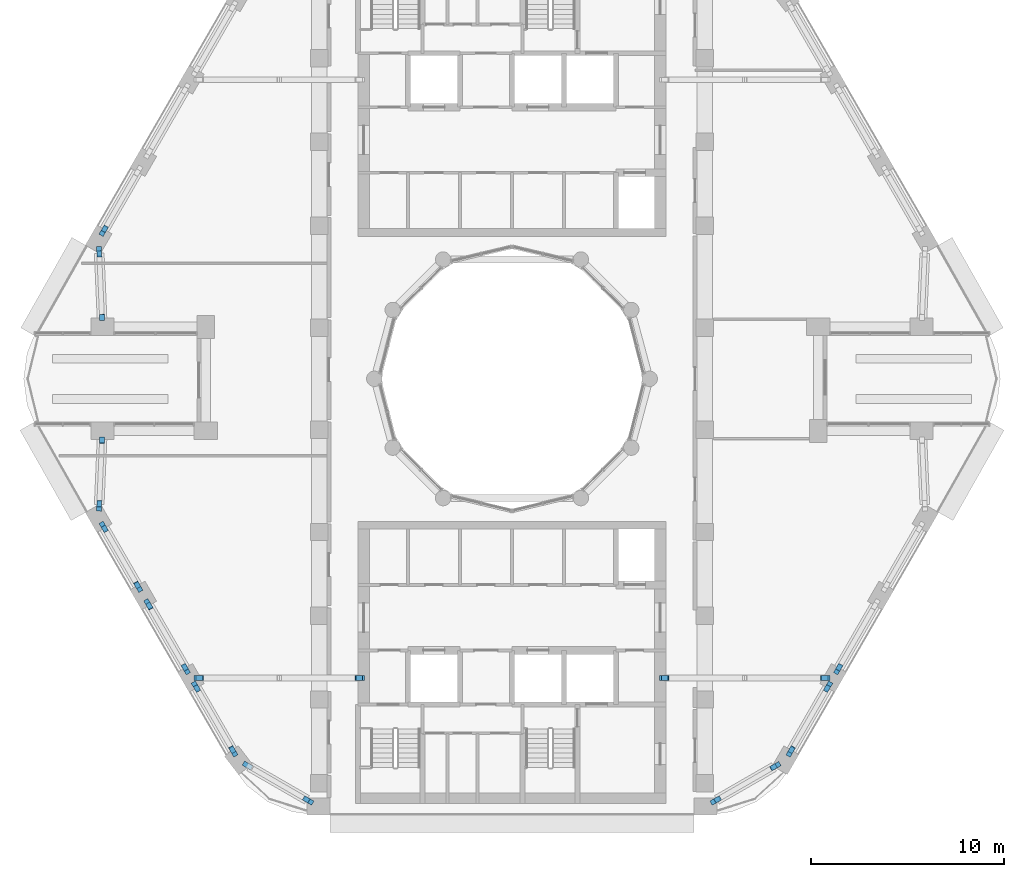
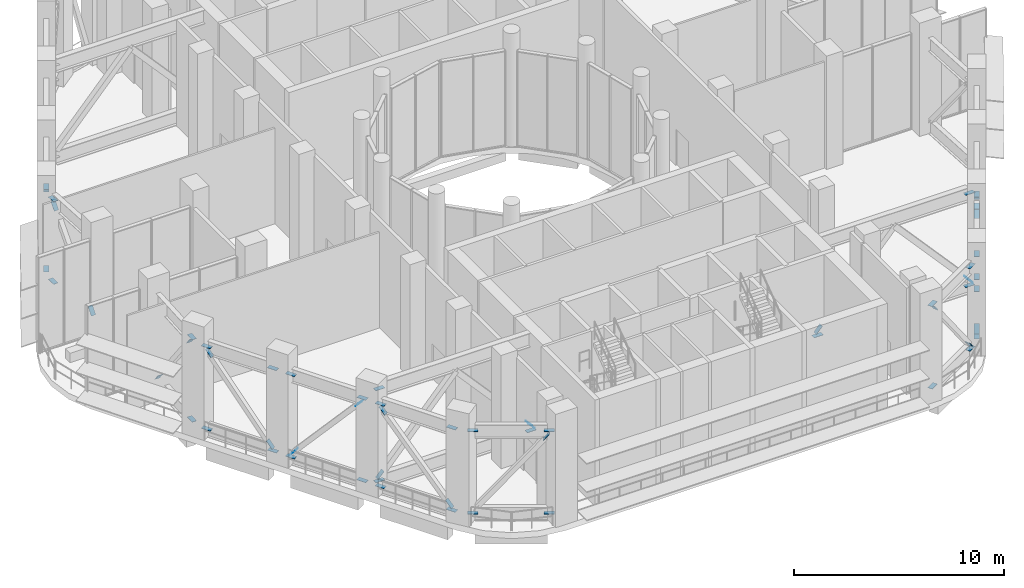
# One storey, part 12 of 19: 59 discrete accessories.
"""IFC4 building model written with IfcOpenShell, lengths in metres."""

from ifc_helpers import new_model, si_unit, direction, frame, origin, origin_2d, place, context, subcontext, project, spatial, rectangle, extrude, material, material_profile, profile_set, type_object, element, save


model = new_model("IFC4")

# Units and contexts
model_context = context("Model", 3, precision=1e-05, world=origin(), true_north=direction((0.0, 1.0)))
body_context = subcontext(model_context, "Body", "Model", "MODEL_VIEW")
ifc_project = project(units=[si_unit("LENGTHUNIT", "METRE"), si_unit("AREAUNIT", "SQUARE_METRE"), si_unit("VOLUMEUNIT", "CUBIC_METRE"), si_unit("PLANEANGLEUNIT", "RADIAN"), si_unit("MASSUNIT", "GRAM", prefix="KILO")], contexts=[model_context])

# Site, building, storey
site_placement = place(None, origin())
site = spatial("IfcSite", under=ifc_project, at=site_placement, CompositionType="ELEMENT")
building_placement = place(site_placement, origin())
building = spatial("IfcBuilding", under=site, at=building_placement, Name="Nakaniwa Court", CompositionType="ELEMENT")
storey_placement = place(building_placement, frame((0.0, 0.0, 219.60009765625)))
storey = spatial("IfcBuildingStorey", under=building, at=storey_placement, Name="S4", CompositionType="ELEMENT", Elevation=219.60009765625)

# Discrete accessories
ifc_material = material(Name="Steel Grade 350", Category="steel")
ifc_material_profile = material_profile(ifc_material, rectangle(XDim=0.25, YDim=0.02001953125, at=origin_2d()), Name="Truss end gusset plate 250x20")
ifc_profile_set = profile_set([ifc_material_profile], Name="Steel Grade 350")
discrete_accessory_type = type_object("IfcDiscreteAccessoryType", Name="Truss end gusset plate 250x20", PredefinedType="BRACKET", material=ifc_profile_set)
for number, where, z_axis, x_axis, name in (
    (1, (58.916015625, 87.881591796875, 0.39599609375), (-0.500131122175, -0.865949687125, 0.0), (0.865949687125, -0.500131122175, 0.0), "Gusset plate GU-476"),
    (2, (58.916015625, 87.881591796875, 5.19384765625), (-0.500131122175, -0.865949687125, 0.0), (0.865949687125, -0.500131122175, 0.0), "Gusset plate GU-478"),
):
    element("IfcDiscreteAccessory", number, at=place(storey_placement, frame(where, z_axis=z_axis, x_axis=x_axis)), inside=storey, type_object=discrete_accessory_type, Name=name, PredefinedType="BRACKET", context=body_context, shape_type="SweptSolid", body=[
        extrude(rectangle(XDim=0.25, YDim=0.02001953125, at=origin_2d()), origin(), (0.0, 0.0, 1.0), 0.499755859375),
    ])
for number, where, z_axis, x_axis, name in (
    (3, (58.938232421875, 87.920166015625, 4.681396484375), (-0.314439930852, -0.544899010607, 0.777311133411), (0.866133898465, -0.499812034598, 0.0), "Gusset plate GU-480"),
    (4, (58.578125, 86.371826171875, 0.39599609375), (-0.04297102447, 0.999076318935, 0.0), (-0.999076318935, -0.04297102447, 0.0), "Gusset plate GU-481"),
    (5, (58.578125, 86.371826171875, 5.19384765625), (-0.04297102447, 0.999076318935, 0.0), (-0.999076318935, -0.04297102447, 0.0), "Gusset plate GU-482"),
    (6, (58.579833984375, 86.32861328125, 4.680419921875), (-0.026366942333, 0.620599698239, 0.783684119335), (-0.999098680107, -0.042447937628, 0.0), "Gusset plate GU-483"),
    (7, (58.70849609375, 83.343017578125, 0.909423828125), (0.026366942333, -0.620599698239, -0.783684119335), (0.999098680107, 0.042447937628, 0.0), "Gusset plate GU-484"),
    (8, (58.578125, 73.628173828125, 0.39599609375), (-0.04297102447, -0.999076318935, 0.0), (0.999076318935, -0.04297102447, 0.0), "Gusset plate GU-485"),
    (9, (58.578125, 73.628173828125, 5.19384765625), (-0.04297102447, -0.999076318935, 0.0), (0.999076318935, -0.04297102447, 0.0), "Gusset plate GU-486"),
    (10, (58.70849609375, 76.656982421875, 0.909423828125), (0.026366942333, 0.620599698239, -0.783684119335), (-0.999098680107, 0.042447937628, 0.0), "Gusset plate GU-487"),
    (11, (58.579833984375, 73.67138671875, 4.680419921875), (-0.026366942333, -0.620599698239, 0.783684119335), (0.999098680107, -0.042447937628, 0.0), "Gusset plate GU-488"),
):
    element("IfcDiscreteAccessory", number, at=place(storey_placement, frame(where, z_axis=z_axis, x_axis=x_axis)), inside=storey, type_object=discrete_accessory_type, Name=name, PredefinedType="BRACKET", context=body_context, shape_type="SweptSolid", body=[
        extrude(rectangle(XDim=0.25, YDim=0.02001953125, at=origin_2d()), origin(), (0.0, 0.0, 1.0), 0.5),
    ])
discrete_accessory_1_placement = place(storey_placement, frame((58.916015625, 72.118408203125, 0.39599609375), z_axis=(-0.500131122175, 0.865949687125, 0.0), x_axis=(-0.865949687125, -0.500131122175, 0.0)))
element("IfcDiscreteAccessory", 12, at=discrete_accessory_1_placement, inside=storey, type_object=discrete_accessory_type, Name="Gusset plate GU-489", PredefinedType="BRACKET", context=body_context, shape_type="SweptSolid", body=[
    extrude(rectangle(XDim=0.25, YDim=0.02001953125, at=origin_2d()), origin(), (0.0, 0.0, 1.0), 0.499755859375),
])
discrete_accessory_2_placement = place(storey_placement, frame((60.485595703125, 69.39990234375, 0.39599609375), z_axis=(0.499919672301, -0.866071776036, 0.0), x_axis=(0.866071776036, 0.499919672301, 0.0)))
element("IfcDiscreteAccessory", 13, at=discrete_accessory_2_placement, inside=storey, type_object=discrete_accessory_type, Name="Gusset plate GU-490", PredefinedType="BRACKET", context=body_context, shape_type="SweptSolid", body=[
    extrude(rectangle(XDim=0.25, YDim=0.02001953125, at=origin_2d()), origin(), (0.0, 0.0, 1.0), 0.5),
])
discrete_accessory_3_placement = place(storey_placement, frame((58.916015625, 72.118408203125, 5.19384765625), z_axis=(-0.500131122175, 0.865949687125, 0.0), x_axis=(-0.865949687125, -0.500131122175, 0.0)))
element("IfcDiscreteAccessory", 14, at=discrete_accessory_3_placement, inside=storey, type_object=discrete_accessory_type, Name="Gusset plate GU-491", PredefinedType="BRACKET", context=body_context, shape_type="SweptSolid", body=[
    extrude(rectangle(XDim=0.25, YDim=0.02001953125, at=origin_2d()), origin(), (0.0, 0.0, 1.0), 0.499755859375),
])
for number, where, z_axis, x_axis, name in (
    (15, (60.485595703125, 69.39990234375, 5.19384765625), (0.499919672301, -0.866071776036, 0.0), (0.866071776036, 0.499919672301, 0.0), "Gusset plate GU-492"),
    (16, (58.938232421875, 72.079833984375, 4.681396484375), (-0.314439930852, 0.544899010607, 0.777311133411), (-0.866133898465, -0.499812034598, 0.0), "Gusset plate GU-493"),
    (17, (60.46337890625, 69.438232421875, 0.908447265625), (0.314523584368, -0.544555584737, -0.777517929059), (0.865939822254, 0.500148202271, 0.0), "Gusset plate GU-494"),
):
    element("IfcDiscreteAccessory", number, at=place(storey_placement, frame(where, z_axis=z_axis, x_axis=x_axis)), inside=storey, type_object=discrete_accessory_type, Name=name, PredefinedType="BRACKET", context=body_context, shape_type="SweptSolid", body=[
        extrude(rectangle(XDim=0.25, YDim=0.02001953125, at=origin_2d()), origin(), (0.0, 0.0, 1.0), 0.5),
    ])
discrete_accessory_4_placement = place(storey_placement, frame((61.235595703125, 68.100830078125, 0.39599609375), z_axis=(-0.500131122175, 0.865949687125, 0.0), x_axis=(-0.865949687125, -0.500131122175, 0.0)))
element("IfcDiscreteAccessory", 18, at=discrete_accessory_4_placement, inside=storey, type_object=discrete_accessory_type, Name="Gusset plate GU-495", PredefinedType="BRACKET", context=body_context, shape_type="SweptSolid", body=[
    extrude(rectangle(XDim=0.25, YDim=0.02001953125, at=origin_2d()), origin(), (0.0, 0.0, 1.0), 0.499755859375),
])
discrete_accessory_5_placement = place(storey_placement, frame((62.953857421875, 65.125, 0.39599609375), z_axis=(0.499919672301, -0.866071776036, 0.0), x_axis=(0.866071776036, 0.499919672301, 0.0)))
element("IfcDiscreteAccessory", 19, at=discrete_accessory_5_placement, inside=storey, type_object=discrete_accessory_type, Name="Gusset plate GU-496", PredefinedType="BRACKET", context=body_context, shape_type="SweptSolid", body=[
    extrude(rectangle(XDim=0.25, YDim=0.02001953125, at=origin_2d()), origin(), (0.0, 0.0, 1.0), 0.5),
])
discrete_accessory_6_placement = place(storey_placement, frame((61.235595703125, 68.100830078125, 5.19384765625), z_axis=(-0.500131122175, 0.865949687125, 0.0), x_axis=(-0.865949687125, -0.500131122175, 0.0)))
element("IfcDiscreteAccessory", 20, at=discrete_accessory_6_placement, inside=storey, type_object=discrete_accessory_type, Name="Gusset plate GU-497", PredefinedType="BRACKET", context=body_context, shape_type="SweptSolid", body=[
    extrude(rectangle(XDim=0.25, YDim=0.02001953125, at=origin_2d()), origin(), (0.0, 0.0, 1.0), 0.499755859375),
])
for number, where, z_axis, x_axis, name in (
    (21, (62.953857421875, 65.125, 5.19384765625), (0.499919672301, -0.866071776036, 0.0), (0.866071776036, 0.499919672301, 0.0), "Gusset plate GU-498"),
    (22, (61.26025390625, 68.05810546875, 0.904296875), (-0.330624506873, 0.573342941017, -0.749643453544), (-0.866283845548, -0.499552098327, 0.0), "Gusset plate GU-499"),
    (23, (62.92919921875, 65.16748046875, 4.685302734375), (0.330595965154, -0.572805121308, 0.75006706422), (0.866099526492, 0.499871593722, 0.0), "Gusset plate GU-500"),
):
    element("IfcDiscreteAccessory", number, at=place(storey_placement, frame(where, z_axis=z_axis, x_axis=x_axis)), inside=storey, type_object=discrete_accessory_type, Name=name, PredefinedType="BRACKET", context=body_context, shape_type="SweptSolid", body=[
        extrude(rectangle(XDim=0.25, YDim=0.02001953125, at=origin_2d()), origin(), (0.0, 0.0, 1.0), 0.5),
    ])
discrete_accessory_7_placement = place(storey_placement, frame((63.703857421875, 63.825927734375, 0.39599609375), z_axis=(-0.500131122175, 0.865949687125, 0.0), x_axis=(-0.865949687125, -0.500131122175, 0.0)))
element("IfcDiscreteAccessory", 24, at=discrete_accessory_7_placement, inside=storey, type_object=discrete_accessory_type, Name="Gusset plate GU-501", PredefinedType="BRACKET", context=body_context, shape_type="SweptSolid", body=[
    extrude(rectangle(XDim=0.25, YDim=0.02001953125, at=origin_2d()), origin(), (0.0, 0.0, 1.0), 0.499755859375),
])
discrete_accessory_8_placement = place(storey_placement, frame((65.419189453125, 60.8544921875, 0.39599609375), z_axis=(0.499919672301, -0.866071776036, 0.0), x_axis=(0.866071776036, 0.499919672301, 0.0)))
element("IfcDiscreteAccessory", 25, at=discrete_accessory_8_placement, inside=storey, type_object=discrete_accessory_type, Name="Gusset plate GU-502", PredefinedType="BRACKET", context=body_context, shape_type="SweptSolid", body=[
    extrude(rectangle(XDim=0.25, YDim=0.02001953125, at=origin_2d()), origin(), (0.0, 0.0, 1.0), 0.5),
])
discrete_accessory_9_placement = place(storey_placement, frame((63.703857421875, 63.825927734375, 5.19384765625), z_axis=(-0.500131122175, 0.865949687125, 0.0), x_axis=(-0.865949687125, -0.500131122175, 0.0)))
element("IfcDiscreteAccessory", 26, at=discrete_accessory_9_placement, inside=storey, type_object=discrete_accessory_type, Name="Gusset plate GU-503", PredefinedType="BRACKET", context=body_context, shape_type="SweptSolid", body=[
    extrude(rectangle(XDim=0.25, YDim=0.02001953125, at=origin_2d()), origin(), (0.0, 0.0, 1.0), 0.499755859375),
])
discrete_accessory_10_placement = place(storey_placement, frame((65.419189453125, 60.8544921875, 5.19384765625), z_axis=(0.499919672301, -0.866071776036, 0.0), x_axis=(0.866071776036, 0.499919672301, 0.0)))
element("IfcDiscreteAccessory", 27, at=discrete_accessory_10_placement, inside=storey, type_object=discrete_accessory_type, Name="Gusset plate GU-504", PredefinedType="BRACKET", context=body_context, shape_type="SweptSolid", body=[
    extrude(rectangle(XDim=0.25, YDim=0.02001953125, at=origin_2d()), origin(), (0.0, 0.0, 1.0), 0.5),
])
discrete_accessory_11_placement = place(storey_placement, frame((63.728515625, 63.783203125, 4.685302734375), z_axis=(-0.330909631381, 0.572502946326, 0.75015944459), x_axis=(-0.865779801825, -0.500425153996, 0.0)))
element("IfcDiscreteAccessory", 28, at=discrete_accessory_11_placement, inside=storey, type_object=discrete_accessory_type, Name="Gusset plate GU-505", PredefinedType="BRACKET", context=body_context, shape_type="SweptSolid", body=[
    extrude(rectangle(XDim=0.25, YDim=0.02001953125, at=origin_2d()), origin(), (0.0, 0.0, 1.0), 0.500244140625),
])
for number, where, z_axis, x_axis, name in (
    (29, (65.394775390625, 60.897216796875, 0.904296875), (0.330595965154, -0.572805121308, -0.75006706422), (0.866099526492, 0.499871593722, 0.0), "Gusset plate GU-506"),
    (30, (66.4892578125, 59.80078125, 0.39599609375), (-0.866071776036, 0.499919672301, 0.0), (-0.499919672301, -0.866071776036, 0.0), "Gusset plate GU-507"),
):
    element("IfcDiscreteAccessory", number, at=place(storey_placement, frame(where, z_axis=z_axis, x_axis=x_axis)), inside=storey, type_object=discrete_accessory_type, Name=name, PredefinedType="BRACKET", context=body_context, shape_type="SweptSolid", body=[
        extrude(rectangle(XDim=0.25, YDim=0.02001953125, at=origin_2d()), origin(), (0.0, 0.0, 1.0), 0.5),
    ])
discrete_accessory_12_placement = place(storey_placement, frame((69.224853515625, 58.221435546875, 0.39599609375), z_axis=(0.865949687125, -0.500131122175, 0.0), x_axis=(0.500131122175, 0.865949687125, 0.0)))
element("IfcDiscreteAccessory", 31, at=discrete_accessory_12_placement, inside=storey, type_object=discrete_accessory_type, Name="Gusset plate GU-508", PredefinedType="BRACKET", context=body_context, shape_type="SweptSolid", body=[
    extrude(rectangle(XDim=0.25, YDim=0.02001953125, at=origin_2d()), origin(), (0.0, 0.0, 1.0), 0.499755859375),
])
discrete_accessory_13_placement = place(storey_placement, frame((66.4892578125, 59.80078125, 5.19384765625), z_axis=(-0.866071776036, 0.499919672301, 0.0), x_axis=(-0.499919672301, -0.866071776036, 0.0)))
element("IfcDiscreteAccessory", 32, at=discrete_accessory_13_placement, inside=storey, type_object=discrete_accessory_type, Name="Gusset plate GU-509", PredefinedType="BRACKET", context=body_context, shape_type="SweptSolid", body=[
    extrude(rectangle(XDim=0.25, YDim=0.02001953125, at=origin_2d()), origin(), (0.0, 0.0, 1.0), 0.5),
])
discrete_accessory_14_placement = place(storey_placement, frame((69.224853515625, 58.221435546875, 5.19384765625), z_axis=(0.865949687125, -0.500131122175, 0.0), x_axis=(0.500131122175, 0.865949687125, 0.0)))
element("IfcDiscreteAccessory", 33, at=discrete_accessory_14_placement, inside=storey, type_object=discrete_accessory_type, Name="Gusset plate GU-510", PredefinedType="BRACKET", context=body_context, shape_type="SweptSolid", body=[
    extrude(rectangle(XDim=0.25, YDim=0.02001953125, at=origin_2d()), origin(), (0.0, 0.0, 1.0), 0.499755859375),
])
discrete_accessory_15_placement = place(storey_placement, frame((69.18603515625, 58.24365234375, 4.681396484375), z_axis=(0.546722969131, -0.315341998266, 0.775663212454), x_axis=(0.499633176362, 0.866237085952, 0.0)))
element("IfcDiscreteAccessory", 34, at=discrete_accessory_15_placement, inside=storey, type_object=discrete_accessory_type, Name="Gusset plate GU-512", PredefinedType="BRACKET", context=body_context, shape_type="SweptSolid", body=[
    extrude(rectangle(XDim=0.25, YDim=0.02001953125, at=origin_2d()), origin(), (0.0, 0.0, 1.0), 0.500244140625),
])
discrete_accessory_16_placement = place(storey_placement, frame((90.769287109375, 58.220703125, 0.39599609375), z_axis=(-0.866494423116, -0.499186753339, 0.0), x_axis=(0.499186753339, -0.866494423116, 0.0)))
element("IfcDiscreteAccessory", 35, at=discrete_accessory_16_placement, inside=storey, type_object=discrete_accessory_type, Name="Gusset plate GU-513", PredefinedType="BRACKET", context=body_context, shape_type="SweptSolid", body=[
    extrude(rectangle(XDim=0.25, YDim=0.02001953125, at=origin_2d()), origin(), (0.0, 0.0, 1.0), 0.499755859375),
])
discrete_accessory_17_placement = place(storey_placement, frame((93.472900390625, 59.779296875, 0.39599609375), z_axis=(0.866283125536, 0.499553346913, 0.0), x_axis=(-0.499553346913, 0.866283125536, 0.0)))
element("IfcDiscreteAccessory", 36, at=discrete_accessory_17_placement, inside=storey, type_object=discrete_accessory_type, Name="Gusset plate GU-514", PredefinedType="BRACKET", context=body_context, shape_type="SweptSolid", body=[
    extrude(rectangle(XDim=0.25, YDim=0.02001953125, at=origin_2d()), origin(), (0.0, 0.0, 1.0), 0.5),
])
discrete_accessory_18_placement = place(storey_placement, frame((90.769287109375, 58.220703125, 5.19384765625), z_axis=(-0.866494423116, -0.499186753339, 0.0), x_axis=(0.499186753339, -0.866494423116, 0.0)))
element("IfcDiscreteAccessory", 37, at=discrete_accessory_18_placement, inside=storey, type_object=discrete_accessory_type, Name="Gusset plate GU-515", PredefinedType="BRACKET", context=body_context, shape_type="SweptSolid", body=[
    extrude(rectangle(XDim=0.25, YDim=0.02001953125, at=origin_2d()), origin(), (0.0, 0.0, 1.0), 0.499755859375),
])
discrete_accessory_19_placement = place(storey_placement, frame((93.472900390625, 59.779296875, 5.19384765625), z_axis=(0.866283125536, 0.499553346913, 0.0), x_axis=(-0.499553346913, 0.866283125536, 0.0)))
element("IfcDiscreteAccessory", 38, at=discrete_accessory_19_placement, inside=storey, type_object=discrete_accessory_type, Name="Gusset plate GU-516", PredefinedType="BRACKET", context=body_context, shape_type="SweptSolid", body=[
    extrude(rectangle(XDim=0.25, YDim=0.02001953125, at=origin_2d()), origin(), (0.0, 0.0, 1.0), 0.5),
])
discrete_accessory_20_placement = place(storey_placement, frame((90.8076171875, 58.242919921875, 4.680908203125), z_axis=(-0.542740408098, -0.312856656107, 0.779457222782), x_axis=(0.499407664678, -0.866367118755, 0.0)))
element("IfcDiscreteAccessory", 39, at=discrete_accessory_20_placement, inside=storey, type_object=discrete_accessory_type, Name="Gusset plate GU-517", PredefinedType="BRACKET", context=body_context, shape_type="SweptSolid", body=[
    extrude(rectangle(XDim=0.25, YDim=0.02001953125, at=origin_2d()), origin(), (0.0, 0.0, 1.0), 0.500244140625),
])
for number, where, z_axis, x_axis, name in (
    (40, (93.4345703125, 59.757568359375, 0.90869140625), (0.543029862527, 0.312535172678, -0.779384586865), (-0.498822531768, 0.866704148946, 0.0), "Gusset plate GU-518"),
    (41, (94.578125, 60.85009765625, 0.39599609375), (-0.499919672301, -0.866071776036, 0.0), (0.866071776036, -0.499919672301, 0.0), "Gusset plate GU-519"),
):
    element("IfcDiscreteAccessory", number, at=place(storey_placement, frame(where, z_axis=z_axis, x_axis=x_axis)), inside=storey, type_object=discrete_accessory_type, Name=name, PredefinedType="BRACKET", context=body_context, shape_type="SweptSolid", body=[
        extrude(rectangle(XDim=0.25, YDim=0.02001953125, at=origin_2d()), origin(), (0.0, 0.0, 1.0), 0.5),
    ])
discrete_accessory_21_placement = place(storey_placement, frame((96.296142578125, 63.825927734375, 0.39599609375), z_axis=(0.500131122175, 0.865949687125, 0.0), x_axis=(-0.865949687125, 0.500131122175, 0.0)))
element("IfcDiscreteAccessory", 42, at=discrete_accessory_21_placement, inside=storey, type_object=discrete_accessory_type, Name="Gusset plate GU-520", PredefinedType="BRACKET", context=body_context, shape_type="SweptSolid", body=[
    extrude(rectangle(XDim=0.25, YDim=0.02001953125, at=origin_2d()), origin(), (0.0, 0.0, 1.0), 0.499755859375),
])
discrete_accessory_22_placement = place(storey_placement, frame((94.578125, 60.85009765625, 5.19384765625), z_axis=(-0.499919672301, -0.866071776036, 0.0), x_axis=(0.866071776036, -0.499919672301, 0.0)))
element("IfcDiscreteAccessory", 43, at=discrete_accessory_22_placement, inside=storey, type_object=discrete_accessory_type, Name="Gusset plate GU-521", PredefinedType="BRACKET", context=body_context, shape_type="SweptSolid", body=[
    extrude(rectangle(XDim=0.25, YDim=0.02001953125, at=origin_2d()), origin(), (0.0, 0.0, 1.0), 0.5),
])
for number, where, z_axis, x_axis, name in (
    (44, (96.296142578125, 63.825927734375, 5.19384765625), (0.500131122175, 0.865949687125, 0.0), (-0.865949687125, 0.500131122175, 0.0), "Gusset plate GU-522"),
    (45, (94.602783203125, 60.892578125, 0.904296875), (-0.331152050617, -0.572922353059, -0.749732149996), (0.865779801825, -0.500425153996, 0.0), "Gusset plate GU-523"),
):
    element("IfcDiscreteAccessory", number, at=place(storey_placement, frame(where, z_axis=z_axis, x_axis=x_axis)), inside=storey, type_object=discrete_accessory_type, Name=name, PredefinedType="BRACKET", context=body_context, shape_type="SweptSolid", body=[
        extrude(rectangle(XDim=0.25, YDim=0.02001953125, at=origin_2d()), origin(), (0.0, 0.0, 1.0), 0.499755859375),
    ])
discrete_accessory_23_placement = place(storey_placement, frame((96.271484375, 63.783203125, 4.685302734375), z_axis=(0.330938248887, 0.573040566657, 0.749736209869), x_axis=(-0.865964461276, 0.500105540669, 0.0)))
element("IfcDiscreteAccessory", 46, at=discrete_accessory_23_placement, inside=storey, type_object=discrete_accessory_type, Name="Gusset plate GU-524", PredefinedType="BRACKET", context=body_context, shape_type="SweptSolid", body=[
    extrude(rectangle(XDim=0.25, YDim=0.02001953125, at=origin_2d()), origin(), (0.0, 0.0, 1.0), 0.500244140625),
])
for number, where, z_axis, x_axis, name in (
    (47, (97.046142578125, 65.125, 0.39599609375), (-0.499919672301, -0.866071776036, 0.0), (0.866071776036, -0.499919672301, 0.0), "Gusset plate GU-525"),
    (48, (97.046142578125, 65.125, 5.19384765625), (-0.499919672301, -0.866071776036, 0.0), (0.866071776036, -0.499919672301, 0.0), "Gusset plate GU-527"),
    (49, (97.07080078125, 65.16748046875, 4.685302734375), (-0.330595965154, -0.572805121308, 0.75006706422), (0.866099526492, -0.499871593722, 0.0), "Gusset plate GU-529"),
    (50, (88.14990234375, 64.475341796875, 0.407958984375), (-1.0, 0.0, 0.0), (0.0, -1.0, 0.0), "Gusset plate GU-585"),
    (51, (96.001708984375, 64.475341796875, 0.407958984375), (1.0, 0.0, 0.0), (0.0, 1.0, 0.0), "Gusset plate GU-586"),
    (52, (96.001708984375, 64.475341796875, 5.781982421875), (1.0, 0.0, 0.0), (0.0, 1.0, 0.0), "Gusset plate GU-587"),
):
    element("IfcDiscreteAccessory", number, at=place(storey_placement, frame(where, z_axis=z_axis, x_axis=x_axis)), inside=storey, type_object=discrete_accessory_type, Name=name, PredefinedType="BRACKET", context=body_context, shape_type="SweptSolid", body=[
        extrude(rectangle(XDim=0.25, YDim=0.02001953125, at=origin_2d()), origin(), (0.0, 0.0, 1.0), 0.5),
    ])
for number, where, z_axis, x_axis, name in (
    (53, (88.10009765625, 64.475341796875, 0.927734375), (-0.666723520978, 0.0, -0.745305136555), (0.0, -1.0, 0.0), "Gusset plate GU-588"),
    (54, (96.051513671875, 64.475341796875, 0.927734375), (0.666723520978, 0.0, -0.745305136555), (0.0, 1.0, 0.0), "Gusset plate GU-589"),
):
    element("IfcDiscreteAccessory", number, at=place(storey_placement, frame(where, z_axis=z_axis, x_axis=x_axis)), inside=storey, type_object=discrete_accessory_type, Name=name, PredefinedType="BRACKET", context=body_context, shape_type="SweptSolid", body=[
        extrude(rectangle(XDim=0.25, YDim=0.02001953125, at=origin_2d()), origin(), (0.0, 0.0, 1.0), 0.500244140625),
    ])
for number, where, z_axis, x_axis, name in (
    (55, (71.85009765625, 64.475341796875, 0.407958984375), (1.0, 0.0, 0.0), (0.0, 1.0, 0.0), "Gusset plate GU-590"),
    (56, (63.998291015625, 64.475341796875, 0.407958984375), (-1.0, 0.0, 0.0), (0.0, -1.0, 0.0), "Gusset plate GU-591"),
    (57, (63.998291015625, 64.475341796875, 5.781982421875), (-1.0, 0.0, 0.0), (0.0, -1.0, 0.0), "Gusset plate GU-592"),
):
    element("IfcDiscreteAccessory", number, at=place(storey_placement, frame(where, z_axis=z_axis, x_axis=x_axis)), inside=storey, type_object=discrete_accessory_type, Name=name, PredefinedType="BRACKET", context=body_context, shape_type="SweptSolid", body=[
        extrude(rectangle(XDim=0.25, YDim=0.02001953125, at=origin_2d()), origin(), (0.0, 0.0, 1.0), 0.5),
    ])
for number, where, z_axis, x_axis, name in (
    (58, (71.89990234375, 64.475341796875, 0.927734375), (0.666723520978, 0.0, -0.745305136555), (0.0, 1.0, 0.0), "Gusset plate GU-593"),
    (59, (63.948486328125, 64.475341796875, 0.927734375), (-0.666723520978, 0.0, -0.745305136555), (0.0, -1.0, 0.0), "Gusset plate GU-594"),
):
    element("IfcDiscreteAccessory", number, at=place(storey_placement, frame(where, z_axis=z_axis, x_axis=x_axis)), inside=storey, type_object=discrete_accessory_type, Name=name, PredefinedType="BRACKET", context=body_context, shape_type="SweptSolid", body=[
        extrude(rectangle(XDim=0.25, YDim=0.02001953125, at=origin_2d()), origin(), (0.0, 0.0, 1.0), 0.500244140625),
    ])

save(model, "model.ifc")
